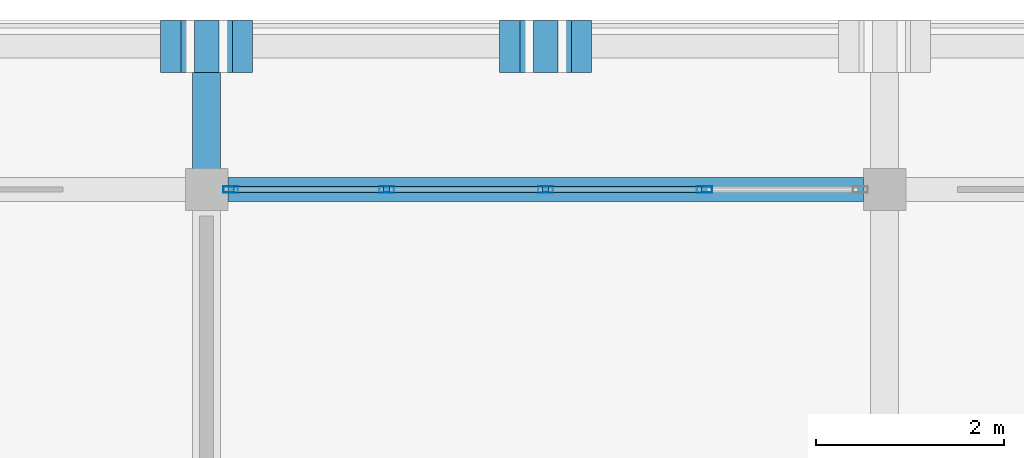
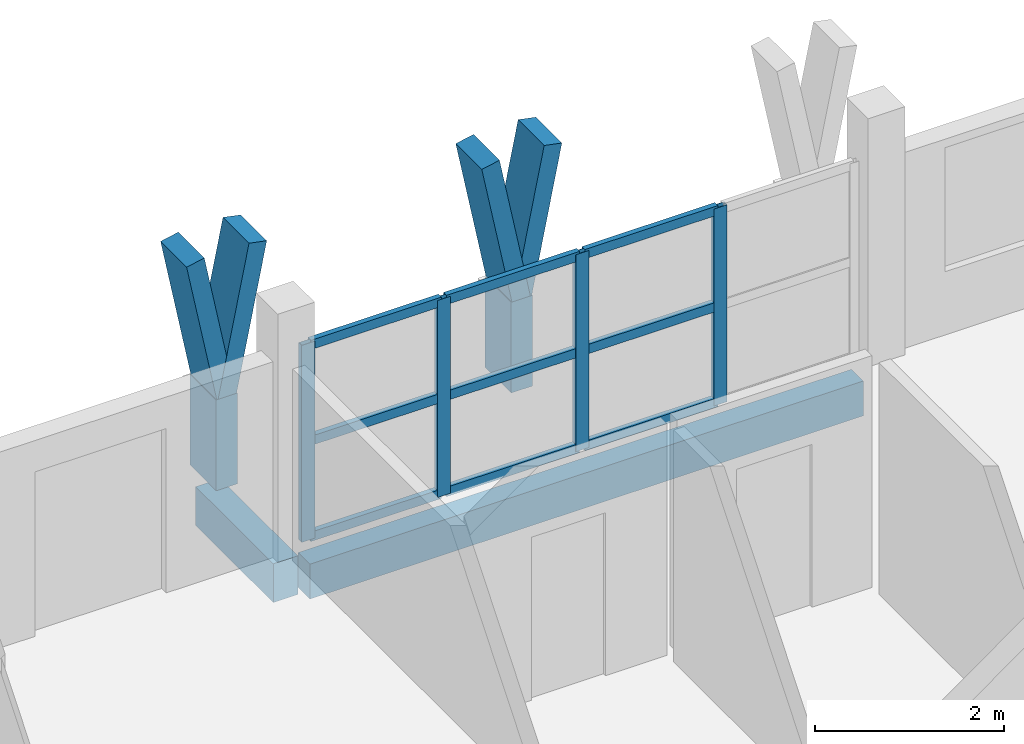
# One storey, part 17 of 45: 19 members, 2 beams, 1 element without a shape of its own.
"""IFC4 building model written with IfcOpenShell, lengths in metres."""

from ifc_helpers import new_model, si_unit, direction, frame, origin, origin_2d, place, context, subcontext, project, spatial, rectangle, hollow_rectangle, extrude, material, material_profile, profile_set, type_object, element, aggregate, save


model = new_model("IFC4")

# Units and contexts
model_context = context("Model", 3, precision=1e-05, world=origin(), true_north=direction((0.0, 1.0)))
body_context = subcontext(model_context, "Body", "Model", "MODEL_VIEW")
ifc_project = project(units=[si_unit("LENGTHUNIT", "METRE"), si_unit("AREAUNIT", "SQUARE_METRE"), si_unit("VOLUMEUNIT", "CUBIC_METRE"), si_unit("PLANEANGLEUNIT", "RADIAN"), si_unit("MASSUNIT", "GRAM", prefix="KILO")], contexts=[model_context])

# Site, building, storey
site_placement = place(None, origin())
site = spatial("IfcSite", under=ifc_project, at=site_placement, CompositionType="ELEMENT")
building_placement = place(site_placement, origin())
building = spatial("IfcBuilding", under=site, at=building_placement, Name="Suanplinth Sawtooth Commons", CompositionType="ELEMENT")
storey_placement = place(building_placement, frame((0.0, 0.0, 38.0)))
storey = spatial("IfcBuildingStorey", under=building, at=storey_placement, Name="L11", CompositionType="ELEMENT", Elevation=38.0)

# Beams
ifc_material_1 = material(Name="Precast concrete C40/50", Category="concrete")
ifc_material_profile_1 = material_profile(ifc_material_1, rectangle(XDim=0.300048828125, YDim=0.5, at=origin_2d()), Name="PC-BM 300x500")
ifc_profile_set_1 = profile_set([ifc_material_profile_1], Name="Precast concrete C40/50")
beam_type_1 = type_object("IfcBeamType", Name="B-07", PredefinedType="BEAM", material=ifc_profile_set_1)
beam_1_placement = place(storey_placement, frame((144.0, 122.39990234375, -0.429931640625), z_axis=(0.0, 1.0, 0.0), x_axis=(-1.0, 0.0, 0.0)))
element("IfcBeam", 1, at=beam_1_placement, inside=storey, type_object=beam_type_1, Name="Balcony Outrigger L11-B-N-20", PredefinedType="BEAM", context=body_context, shape_type="SweptSolid", body=[
    extrude(rectangle(XDim=0.300048828125, YDim=0.5, at=origin_2d()), origin(), (0.0, 0.0, 1.0), 1.64013671875),
])
ifc_material_profile_2 = material_profile(ifc_material_1, rectangle(XDim=0.25, YDim=0.449951171875, at=origin_2d()), Name="PC-SP 250x450")
ifc_profile_set_2 = profile_set([ifc_material_profile_2], Name="Precast concrete C40/50")
beam_type_2 = type_object("IfcBeamType", Name="B-09", PredefinedType="SPANDREL", material=ifc_profile_set_2)
beam_2_placement = place(storey_placement, frame((144.22509765625, 122.39990234375, -0.465087890625), z_axis=(1.0, 0.0, 0.0), x_axis=(0.0, 1.0, 0.0)))
element("IfcBeam", 2, at=beam_2_placement, inside=storey, type_object=beam_type_2, Name="BMX-L11-B-20-17", PredefinedType="SPANDREL", context=body_context, shape_type="SweptSolid", body=[
    extrude(rectangle(XDim=0.25, YDim=0.449951171875, at=origin_2d()), origin(), (0.0, 0.0, 1.0), 6.75),
])

# Members
ifc_material_2 = material(Name="Pigmented precast concrete C40/50", Category="concrete")
ifc_material_profile_3 = material_profile(ifc_material_2, rectangle(XDim=0.260009765625, YDim=0.550048828125, at=origin_2d()), Name="PC-FIN 260x550")
ifc_profile_set_3 = profile_set([ifc_material_profile_3], Name="Pigmented precast concrete C40/50")
member_type_1 = type_object("IfcMemberType", Name="M-09", PredefinedType="USERDEFINED", material=ifc_profile_set_3)
for number, where, z_axis, x_axis, name in (
    (3, (144.0, 123.919921875, 0.0), (0.0, 0.0, 1.0), (1.0, 0.0, 0.0), "Y-Blade Stem L11-B-N-02"),
    (4, (147.60009765625, 123.919921875, 0.0), (0.0, 0.0, 1.0), (1.0, 0.0, 0.0), "Y-Blade Stem L11-B-N-03"),
):
    element("IfcMember", number, at=place(storey_placement, frame(where, z_axis=z_axis, x_axis=x_axis)), inside=storey, type_object=member_type_1, Name=name, ObjectType="SHADING FIN", PredefinedType="USERDEFINED", context=body_context, shape_type="SweptSolid", body=[
        extrude(rectangle(XDim=0.260009765625, YDim=0.550048828125, at=origin_2d()), origin(), (0.0, 0.0, 1.0), 1.169921875),
    ])
ifc_material_profile_4 = material_profile(ifc_material_2, rectangle(XDim=0.219970703125, YDim=0.550048828125, at=origin_2d()), Name="PC-FIN 220x550")
ifc_profile_set_4 = profile_set([ifc_material_profile_4], Name="Pigmented precast concrete C40/50")
member_type_2 = type_object("IfcMemberType", Name="M-10", PredefinedType="USERDEFINED", material=ifc_profile_set_4)
for number, where, z_axis, x_axis, name in (
    (5, (144.0, 123.919921875, 1.1298828125), (-0.196406855569, 0.0, 0.980522486782), (0.980522486782, 0.0, 0.196406855569), "Y-Blade Arm L L11-B-N-02"),
    (6, (144.0, 123.919921875, 1.1298828125), (0.196406855569, 0.0, 0.980522486782), (-0.980522486782, 0.0, 0.196406855569), "Y-Blade Arm R L11-B-N-02"),
    (7, (147.60009765625, 123.919921875, 1.1298828125), (-0.196406855569, 0.0, 0.980522486782), (0.980522486782, 0.0, 0.196406855569), "Y-Blade Arm L L11-B-N-03"),
):
    element("IfcMember", number, at=place(storey_placement, frame(where, z_axis=z_axis, x_axis=x_axis)), inside=storey, type_object=member_type_2, Name=name, ObjectType="SHADING FIN", PredefinedType="USERDEFINED", context=body_context, shape_type="SweptSolid", body=[
        extrude(rectangle(XDim=0.219970703125, YDim=0.550048828125, at=origin_2d()), origin(), (0.0, 0.0, 1.0), 1.93798828125),
    ])
member_1_placement = place(storey_placement, frame((147.60009765625, 123.919921875, 1.1298828125), z_axis=(0.196285728346, 0.0, 0.980546741796), x_axis=(-0.980546741796, 0.0, 0.196285728346)))
element("IfcMember", 8, at=member_1_placement, inside=storey, type_object=member_type_2, Name="Y-Blade Arm R L11-B-N-03", ObjectType="SHADING FIN", PredefinedType="USERDEFINED", context=body_context, shape_type="SweptSolid", body=[
    extrude(rectangle(XDim=0.219970703125, YDim=0.550048828125, at=origin_2d()), origin(), (0.0, 0.0, 1.0), 1.937744140625),
])

# Curtain wall, members
ifc_material_3 = material(Name="Anodized aluminium and low-E glazing", Category="aluminium")
curtain_wall_type = type_object("IfcCurtainWallType", Name="CW-06", PredefinedType="USERDEFINED", material=ifc_material_3)
curtain_wall_placement = place(storey_placement, origin())
curtain_wall = element("IfcCurtainWall", 9, at=curtain_wall_placement, inside=storey, type_object=curtain_wall_type, Name="Curtain Wall CW-L11-B-LOUNGE-20", ObjectType="CURTAIN WALL", PredefinedType="USERDEFINED")
ifc_material_4 = material(Name="Anodized aluminium 6063-T6", Category="aluminium")
ifc_material_profile_5 = material_profile(ifc_material_4, hollow_rectangle(XDim=0.06494140625, YDim=0.159912109375, WallThickness=0.00390625, at=origin_2d()), Name="ALU-MUL 65x160")
ifc_profile_set_5 = profile_set([ifc_material_profile_5], Name="Anodized aluminium 6063-T6")
member_type_3 = type_object("IfcMemberType", Name="M-13", PredefinedType="MULLION", material=ifc_profile_set_5)
member_2_placement = place(storey_placement, frame((144.257568359375, 122.39990234375, 0.0), z_axis=(0.0, 0.0, 1.0), x_axis=(0.0, 1.0, 0.0)))
member_2 = element("IfcMember", 10, at=member_2_placement, type_object=member_type_3, Name="CW-06 mullion 1", PredefinedType="MULLION", context=body_context, shape_type="SweptSolid", body=[
    extrude(hollow_rectangle(XDim=0.06494140625, YDim=0.159912109375, WallThickness=0.00390625, at=origin_2d()), origin(), (0.0, 0.0, 1.0), 2.5400390625),
])
member_3_placement = place(storey_placement, frame((145.91259765625, 122.39990234375, 0.0), z_axis=(0.0, 0.0, 1.0), x_axis=(0.0, 1.0, 0.0)))
member_3 = element("IfcMember", 11, at=member_3_placement, type_object=member_type_3, Name="CW-06 mullion 2", PredefinedType="MULLION", context=body_context, shape_type="SweptSolid", body=[
    extrude(hollow_rectangle(XDim=0.06494140625, YDim=0.159912109375, WallThickness=0.00390625, at=origin_2d()), origin(), (0.0, 0.0, 1.0), 2.5400390625),
])
member_4_placement = place(storey_placement, frame((147.60009765625, 122.39990234375, 0.0), z_axis=(0.0, 0.0, 1.0), x_axis=(0.0, 1.0, 0.0)))
member_4 = element("IfcMember", 12, at=member_4_placement, type_object=member_type_3, Name="CW-06 mullion 3", PredefinedType="MULLION", context=body_context, shape_type="SweptSolid", body=[
    extrude(hollow_rectangle(XDim=0.06494140625, YDim=0.159912109375, WallThickness=0.00390625, at=origin_2d()), origin(), (0.0, 0.0, 1.0), 2.5400390625),
])
member_5_placement = place(storey_placement, frame((149.28759765625, 122.39990234375, 0.0), z_axis=(0.0, 0.0, 1.0), x_axis=(0.0, 1.0, 0.0)))
member_5 = element("IfcMember", 13, at=member_5_placement, type_object=member_type_3, Name="CW-06 mullion 4", PredefinedType="MULLION", context=body_context, shape_type="SweptSolid", body=[
    extrude(hollow_rectangle(XDim=0.06494140625, YDim=0.159912109375, WallThickness=0.00390625, at=origin_2d()), origin(), (0.0, 0.0, 1.0), 2.5400390625),
])
ifc_material_profile_6 = material_profile(ifc_material_4, hollow_rectangle(XDim=0.06494140625, YDim=0.1201171875, WallThickness=0.00390625, at=origin_2d()), Name="ALU-TRN 65x120")
ifc_profile_set_6 = profile_set([ifc_material_profile_6], Name="Anodized aluminium 6063-T6")
member_type_4 = type_object("IfcMemberType", Name="M-15", PredefinedType="USERDEFINED", material=ifc_profile_set_6)
member_6_placement = place(storey_placement, frame((144.2900390625, 122.39990234375, 0.032470703125), z_axis=(1.0, 0.0, 0.0), x_axis=(0.0, 1.0, 0.0)))
member_6 = element("IfcMember", 14, at=member_6_placement, type_object=member_type_4, Name="CW-06 transom 1.1", ObjectType="TRANSOM", PredefinedType="USERDEFINED", context=body_context, shape_type="SweptSolid", body=[
    extrude(hollow_rectangle(XDim=0.06494140625, YDim=0.1201171875, WallThickness=0.00390625, at=origin_2d()), origin(), (0.0, 0.0, 1.0), 1.58984375),
])
member_7_placement = place(storey_placement, frame((144.2900390625, 122.39990234375, 1.27001953125), z_axis=(1.0, 0.0, 0.0), x_axis=(0.0, 1.0, 0.0)))
member_7 = element("IfcMember", 15, at=member_7_placement, type_object=member_type_4, Name="CW-06 transom 1.2", ObjectType="TRANSOM", PredefinedType="USERDEFINED", context=body_context, shape_type="SweptSolid", body=[
    extrude(hollow_rectangle(XDim=0.06494140625, YDim=0.1201171875, WallThickness=0.00390625, at=origin_2d()), origin(), (0.0, 0.0, 1.0), 1.58984375),
])
member_8_placement = place(storey_placement, frame((144.2900390625, 122.39990234375, 2.507568359375), z_axis=(1.0, 0.0, 0.0), x_axis=(0.0, 1.0, 0.0)))
member_8 = element("IfcMember", 16, at=member_8_placement, type_object=member_type_4, Name="CW-06 transom 1.3", ObjectType="TRANSOM", PredefinedType="USERDEFINED", context=body_context, shape_type="SweptSolid", body=[
    extrude(hollow_rectangle(XDim=0.06494140625, YDim=0.1201171875, WallThickness=0.00390625, at=origin_2d()), origin(), (0.0, 0.0, 1.0), 1.58984375),
])
member_9_placement = place(storey_placement, frame((145.945068359375, 122.39990234375, 0.032470703125), z_axis=(1.0, 0.0, 0.0), x_axis=(0.0, 1.0, 0.0)))
member_9 = element("IfcMember", 17, at=member_9_placement, type_object=member_type_4, Name="CW-06 transom 2.1", ObjectType="TRANSOM", PredefinedType="USERDEFINED", context=body_context, shape_type="SweptSolid", body=[
    extrude(hollow_rectangle(XDim=0.06494140625, YDim=0.1201171875, WallThickness=0.00390625, at=origin_2d()), origin(), (0.0, 0.0, 1.0), 1.622314453125),
])
member_10_placement = place(storey_placement, frame((145.945068359375, 122.39990234375, 1.27001953125), z_axis=(1.0, 0.0, 0.0), x_axis=(0.0, 1.0, 0.0)))
member_10 = element("IfcMember", 18, at=member_10_placement, type_object=member_type_4, Name="CW-06 transom 2.2", ObjectType="TRANSOM", PredefinedType="USERDEFINED", context=body_context, shape_type="SweptSolid", body=[
    extrude(hollow_rectangle(XDim=0.06494140625, YDim=0.1201171875, WallThickness=0.00390625, at=origin_2d()), origin(), (0.0, 0.0, 1.0), 1.622314453125),
])
member_11_placement = place(storey_placement, frame((145.945068359375, 122.39990234375, 2.507568359375), z_axis=(1.0, 0.0, 0.0), x_axis=(0.0, 1.0, 0.0)))
member_11 = element("IfcMember", 19, at=member_11_placement, type_object=member_type_4, Name="CW-06 transom 2.3", ObjectType="TRANSOM", PredefinedType="USERDEFINED", context=body_context, shape_type="SweptSolid", body=[
    extrude(hollow_rectangle(XDim=0.06494140625, YDim=0.1201171875, WallThickness=0.00390625, at=origin_2d()), origin(), (0.0, 0.0, 1.0), 1.622314453125),
])
member_12_placement = place(storey_placement, frame((147.632568359375, 122.39990234375, 0.032470703125), z_axis=(1.0, 0.0, 0.0), x_axis=(0.0, 1.0, 0.0)))
member_12 = element("IfcMember", 20, at=member_12_placement, type_object=member_type_4, Name="CW-06 transom 3.1", ObjectType="TRANSOM", PredefinedType="USERDEFINED", context=body_context, shape_type="SweptSolid", body=[
    extrude(hollow_rectangle(XDim=0.06494140625, YDim=0.1201171875, WallThickness=0.00390625, at=origin_2d()), origin(), (0.0, 0.0, 1.0), 1.622314453125),
])
member_13_placement = place(storey_placement, frame((147.632568359375, 122.39990234375, 1.27001953125), z_axis=(1.0, 0.0, 0.0), x_axis=(0.0, 1.0, 0.0)))
member_13 = element("IfcMember", 21, at=member_13_placement, type_object=member_type_4, Name="CW-06 transom 3.2", ObjectType="TRANSOM", PredefinedType="USERDEFINED", context=body_context, shape_type="SweptSolid", body=[
    extrude(hollow_rectangle(XDim=0.06494140625, YDim=0.1201171875, WallThickness=0.00390625, at=origin_2d()), origin(), (0.0, 0.0, 1.0), 1.622314453125),
])
member_14_placement = place(storey_placement, frame((147.632568359375, 122.39990234375, 2.507568359375), z_axis=(1.0, 0.0, 0.0), x_axis=(0.0, 1.0, 0.0)))
member_14 = element("IfcMember", 22, at=member_14_placement, type_object=member_type_4, Name="CW-06 transom 3.3", ObjectType="TRANSOM", PredefinedType="USERDEFINED", context=body_context, shape_type="SweptSolid", body=[
    extrude(hollow_rectangle(XDim=0.06494140625, YDim=0.1201171875, WallThickness=0.00390625, at=origin_2d()), origin(), (0.0, 0.0, 1.0), 1.622314453125),
])
aggregate(curtain_wall, [member_2, member_3, member_4, member_5, member_6, member_7, member_8, member_9, member_10, member_11, member_12, member_13, member_14])

save(model, "model.ifc")
